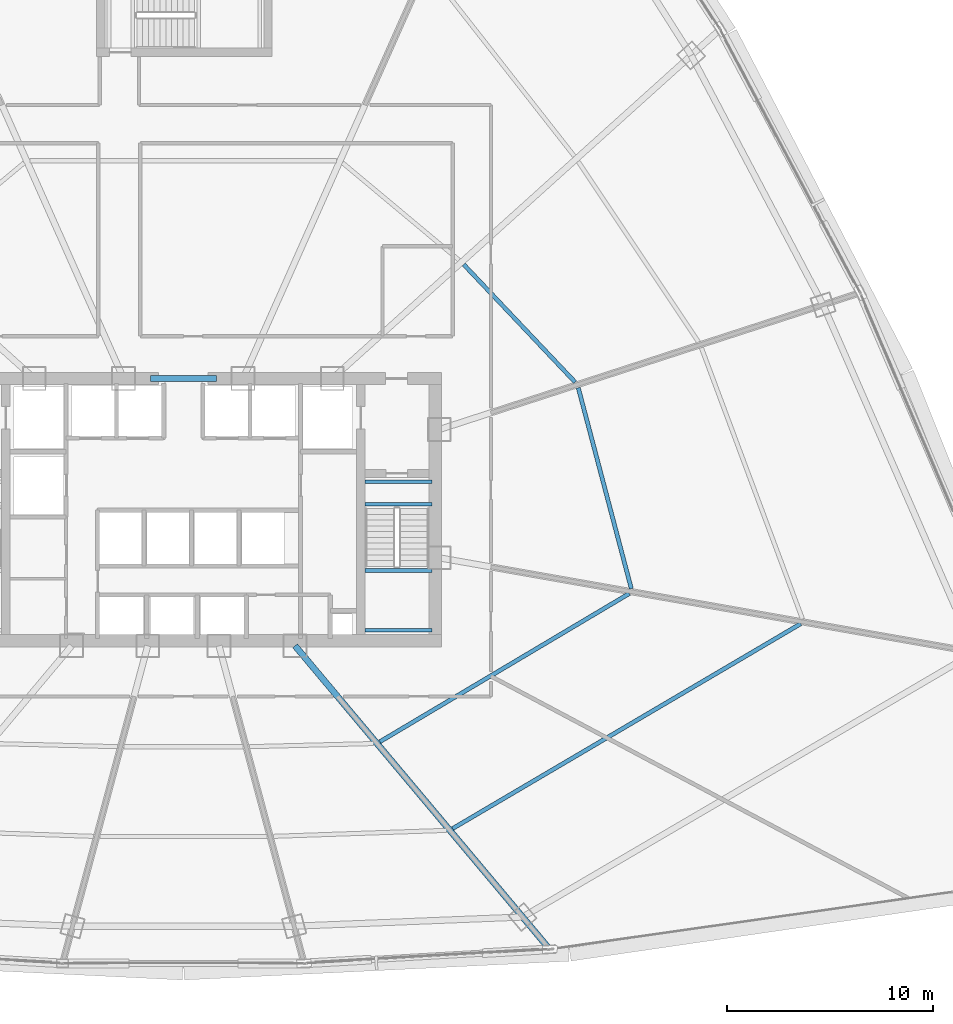
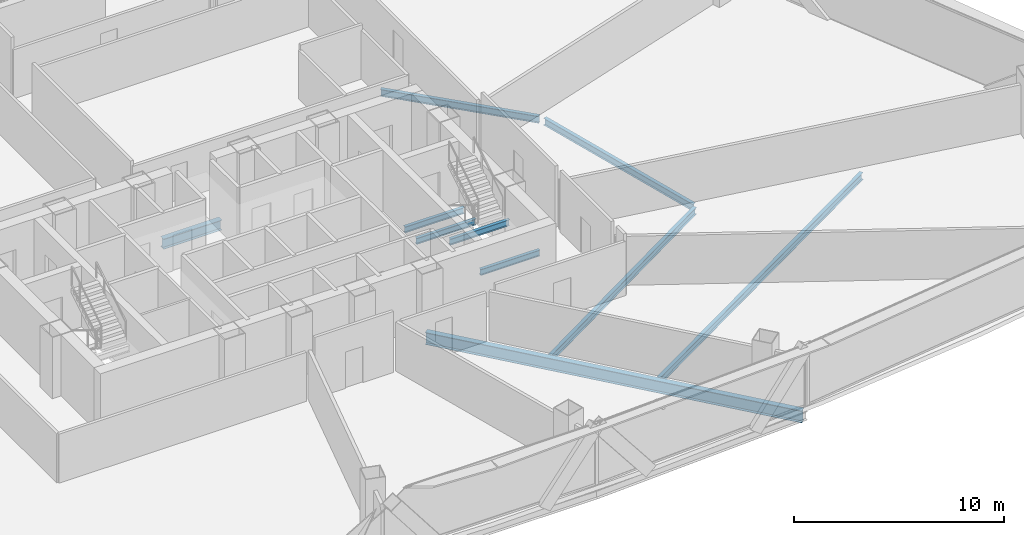
# One storey, part 13 of 39: 10 beams.
"""IFC4 building model written with IfcOpenShell, lengths in metres."""

from ifc_helpers import new_model, si_unit, direction, frame, origin, origin_2d, place, context, subcontext, project, spatial, i_section, extrude, source, transform, mapped, material, material_profile, profile_set, type_object, element, save


model = new_model("IFC4")

# Units and contexts
model_context = context("Model", 3, precision=1e-05, world=origin(), true_north=direction((0.0, 1.0)))
body_context = subcontext(model_context, "Body", "Model", "MODEL_VIEW")
ifc_project = project(units=[si_unit("LENGTHUNIT", "METRE"), si_unit("AREAUNIT", "SQUARE_METRE"), si_unit("VOLUMEUNIT", "CUBIC_METRE"), si_unit("PLANEANGLEUNIT", "RADIAN"), si_unit("MASSUNIT", "GRAM", prefix="KILO"), si_unit("THERMODYNAMICTEMPERATUREUNIT", "KELVIN"), si_unit("POWERUNIT", "WATT")], contexts=[model_context])

# Site, building, storey
site_placement = place(None, origin())
site = spatial("IfcSite", under=ifc_project, at=site_placement, CompositionType="ELEMENT")
building_placement = place(site_placement, origin())
building = spatial("IfcBuilding", under=site, at=building_placement, Name="Yunzhuo Pagoda Commons", CompositionType="ELEMENT")
storey_placement = place(building_placement, frame((0.0, 0.0, 92.580078125)))
storey = spatial("IfcBuildingStorey", under=building, at=storey_placement, Name="L23", CompositionType="ELEMENT", Elevation=92.580078125)

# Beams
ifc_material_1 = material(Name="Structural steel Q355B", Category="steel")
ifc_material_profile_1 = material_profile(ifc_material_1, i_section(OverallWidth=0.175048828125, OverallDepth=0.35009765625, WebThickness=0.007080078125, FlangeThickness=0.010986328125, at=origin_2d()), Name="Structural steel Q355B")
ifc_profile_set_1 = profile_set([ifc_material_profile_1], Name="Structural steel Q355B")
beam_type_1 = type_object("IfcBeamType", Name="B-JS2 Joist HN 350x175x7x11", PredefinedType="JOIST", material=ifc_profile_set_1)
shared_shape_1 = source(origin(), body_context, "Body", "SweptSolid", [
    extrude(i_section(OverallWidth=0.175048828125, OverallDepth=0.35009765625, WebThickness=0.007080078125, FlangeThickness=0.010986328125, at=origin_2d()), origin(), (0.0, 0.0, 1.0), 3.25),
])
for number, where, z_axis, x_axis, name in (
    (1, (56.800048828125, 28.0, 1.525146484375), (1.0, 0.0, 0.0), (0.0, 1.0, 0.0), "L23 ST2 landing support beam 29A"),
    (2, (56.800048828125, 30.89990234375, 1.525146484375), (1.0, 0.0, 0.0), (0.0, 1.0, 0.0), "L23 ST2 landing support beam 29B"),
    (3, (56.800048828125, 34.10009765625, -0.375), (1.0, 0.0, 0.0), (0.0, 1.0, 0.0), "L23 ST2 landing support beam 127A"),
    (4, (56.800048828125, 35.199951171875, -0.375), (1.0, 0.0, 0.0), (0.0, 1.0, 0.0), "L23 ST2 landing support beam 127B"),
):
    element("IfcBeam", number, at=place(storey_placement, frame(where, z_axis=z_axis, x_axis=x_axis)), inside=storey, type_object=beam_type_1, Name=name, PredefinedType="JOIST", context=body_context, shape_type="MappedRepresentation", body=[
        mapped(shared_shape_1, transform((0.0, 0.0, 0.0), scale=1.0)),
    ])
ifc_material_2 = material(Name="Structural steel Q420B", Category="steel")
ifc_material_profile_2 = material_profile(ifc_material_2, i_section(OverallWidth=0.300048828125, OverallDepth=0.587890625, WebThickness=0.011962890625, FlangeThickness=0.02001953125, at=origin_2d()), Name="Structural steel Q420B")
ifc_profile_set_2 = profile_set([ifc_material_profile_2], Name="Structural steel Q420B")
beam_type_2 = type_object("IfcBeamType", Name="B-CPL Beam HM 588x300x12x20", PredefinedType="BEAM", material=ifc_profile_set_2)
shared_shape_2 = source(origin(), body_context, "Body", "SweptSolid", [
    extrude(i_section(OverallWidth=0.300048828125, OverallDepth=0.587890625, WebThickness=0.011962890625, FlangeThickness=0.02001953125, at=origin_2d()), origin(), (0.0, 0.0, 1.0), 3.2001953125),
])
beam_1_placement = place(storey_placement, frame((46.39990234375, 40.199951171875, -0.55419921875), z_axis=(1.0, 0.0, 0.0), x_axis=(0.0, 1.0, 0.0)))
element("IfcBeam", 5, at=beam_1_placement, inside=storey, type_object=beam_type_2, Name="L23 core coupling girder", PredefinedType="BEAM", context=body_context, shape_type="MappedRepresentation", body=[
    mapped(shared_shape_2, transform((0.0, 0.0, 0.0), scale=1.0)),
])
ifc_material_profile_3 = material_profile(ifc_material_1, i_section(OverallWidth=0.199951171875, OverallDepth=0.39990234375, WebThickness=0.008056640625, FlangeThickness=0.012939453125, at=origin_2d()), Name="Structural steel Q355B")
ifc_profile_set_3 = profile_set([ifc_material_profile_3], Name="Structural steel Q355B")
beam_type_3 = type_object("IfcBeamType", Name="B-JS1 Joist HN 400x200x8x13", PredefinedType="JOIST", material=ifc_profile_set_3)
shared_shape_3 = source(origin(), body_context, "Body", "SweptSolid", [
    extrude(i_section(OverallWidth=0.199951171875, OverallDepth=0.39990234375, WebThickness=0.008056640625, FlangeThickness=0.012939453125, at=origin_2d()), origin(), (0.0, 0.0, 1.0), 14.061767578125),
])
beam_2_placement = place(storey_placement, frame((57.517578125, 22.601806640625, -0.4599609375), z_axis=(0.859683443923, 0.510827149088, 0.0), x_axis=(-0.510827149088, 0.859683443923, 0.0)))
element("IfcBeam", 6, at=beam_2_placement, inside=storey, type_object=beam_type_3, Name="L23 composite ring joist 1.4", PredefinedType="JOIST", context=body_context, shape_type="MappedRepresentation", body=[
    mapped(shared_shape_3, transform((0.0, 0.0, 0.0), scale=1.0)),
])
shared_shape_4 = source(origin(), body_context, "Body", "SweptSolid", [
    extrude(i_section(OverallWidth=0.199951171875, OverallDepth=0.39990234375, WebThickness=0.008056640625, FlangeThickness=0.012939453125, at=origin_2d()), origin(), (0.0, 0.0, 1.0), 19.568603515625),
])
beam_3_placement = place(storey_placement, frame((61.04541015625, 18.39697265625, -0.4599609375), z_axis=(0.861862685393, 0.50714170754, 0.0), x_axis=(-0.50714170754, 0.861862685393, 0.0)))
element("IfcBeam", 7, at=beam_3_placement, inside=storey, type_object=beam_type_3, Name="L23 composite ring joist 2.4", PredefinedType="JOIST", context=body_context, shape_type="MappedRepresentation", body=[
    mapped(shared_shape_4, transform((0.0, 0.0, 0.0), scale=1.0)),
])
shared_shape_5 = source(origin(), body_context, "Body", "SweptSolid", [
    extrude(i_section(OverallWidth=0.199951171875, OverallDepth=0.39990234375, WebThickness=0.008056640625, FlangeThickness=0.012939453125, at=origin_2d()), origin(), (0.0, 0.0, 1.0), 10.0634765625),
])
beam_4_placement = place(storey_placement, frame((69.702392578125, 30.019775390625, -0.4599609375), z_axis=(-0.255289713136, 0.966864603948, 0.0), x_axis=(-0.966864603948, -0.255289713136, 0.0)))
element("IfcBeam", 8, at=beam_4_placement, inside=storey, type_object=beam_type_3, Name="L23 composite ring joist 1.5", PredefinedType="JOIST", context=body_context, shape_type="MappedRepresentation", body=[
    mapped(shared_shape_5, transform((0.0, 0.0, 0.0), scale=1.0)),
])
shared_shape_6 = source(origin(), body_context, "Body", "SweptSolid", [
    extrude(i_section(OverallWidth=0.199951171875, OverallDepth=0.39990234375, WebThickness=0.008056640625, FlangeThickness=0.012939453125, at=origin_2d()), origin(), (0.0, 0.0, 1.0), 7.85009765625),
])
beam_5_placement = place(storey_placement, frame((66.9833984375, 40.01904296875, -0.4599609375), z_axis=(-0.687513423145, 0.726171669095, 0.0), x_axis=(-0.726171669095, -0.687513423145, 0.0)))
element("IfcBeam", 9, at=beam_5_placement, inside=storey, type_object=beam_type_3, Name="L23 composite ring joist 1.6", PredefinedType="JOIST", context=body_context, shape_type="MappedRepresentation", body=[
    mapped(shared_shape_6, transform((0.0, 0.0, 0.0), scale=1.0)),
])
ifc_material_profile_4 = material_profile(ifc_material_1, i_section(OverallWidth=0.300048828125, OverallDepth=0.699951171875, WebThickness=0.012939453125, FlangeThickness=0.02392578125, at=origin_2d()), Name="Structural steel Q355B")
ifc_profile_set_4 = profile_set([ifc_material_profile_4], Name="Structural steel Q355B")
beam_type_4 = type_object("IfcBeamType", Name="B-RG1 Beam HN 700x300x13x24", PredefinedType="BEAM", material=ifc_profile_set_4)
shared_shape_7 = source(origin(), body_context, "Body", "SweptSolid", [
    extrude(i_section(OverallWidth=0.300048828125, OverallDepth=0.699951171875, WebThickness=0.012939453125, FlangeThickness=0.02392578125, at=origin_2d()), origin(), (0.0, 0.0, 1.0), 19.038330078125),
])
beam_6_placement = place(storey_placement, frame((65.64990234375, 12.666015625, -0.610107421875), z_axis=(-0.642799231831, 0.766034690832, 0.0), x_axis=(-0.766034690832, -0.642799231831, 0.0)))
element("IfcBeam", 10, at=beam_6_placement, inside=storey, type_object=beam_type_4, Name="L23 radial floor girder F1C4", PredefinedType="BEAM", context=body_context, shape_type="MappedRepresentation", body=[
    mapped(shared_shape_7, transform((0.0, 0.0, 0.0), scale=1.0)),
])

save(model, "model.ifc")
